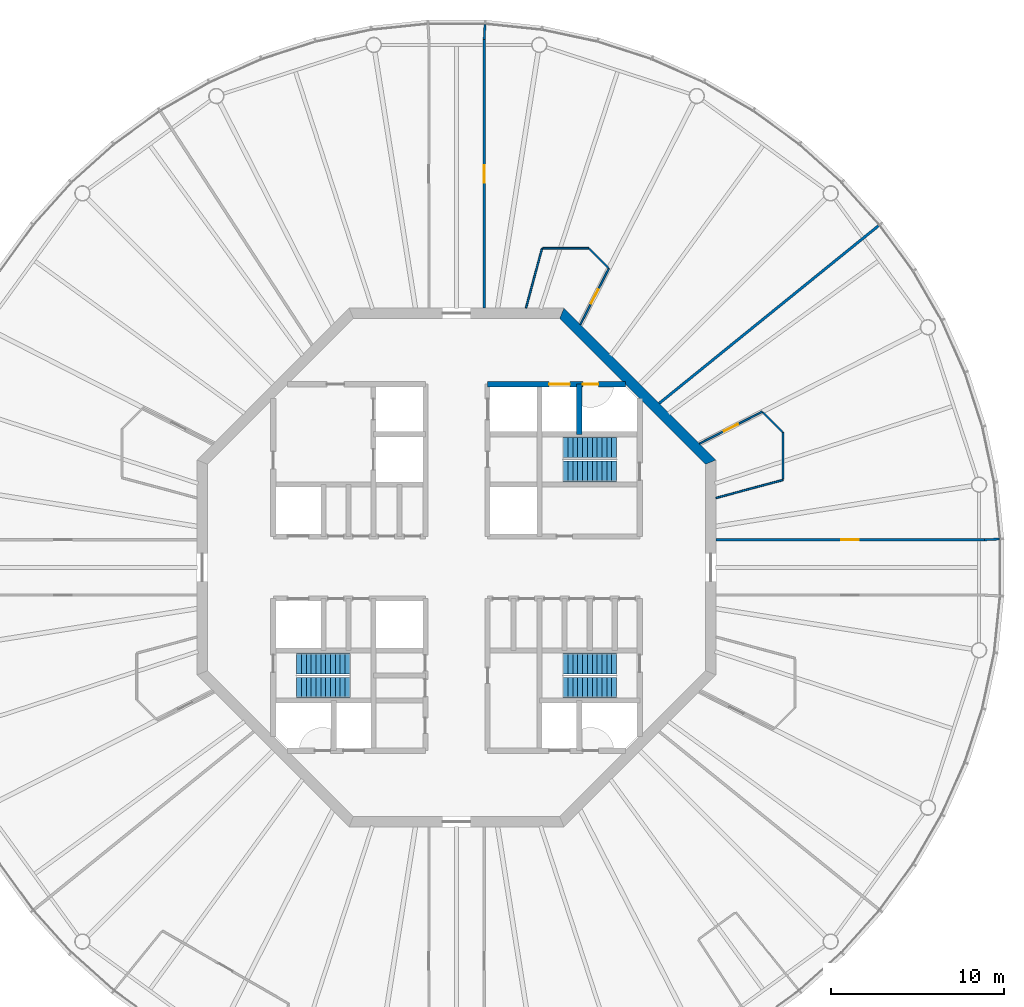
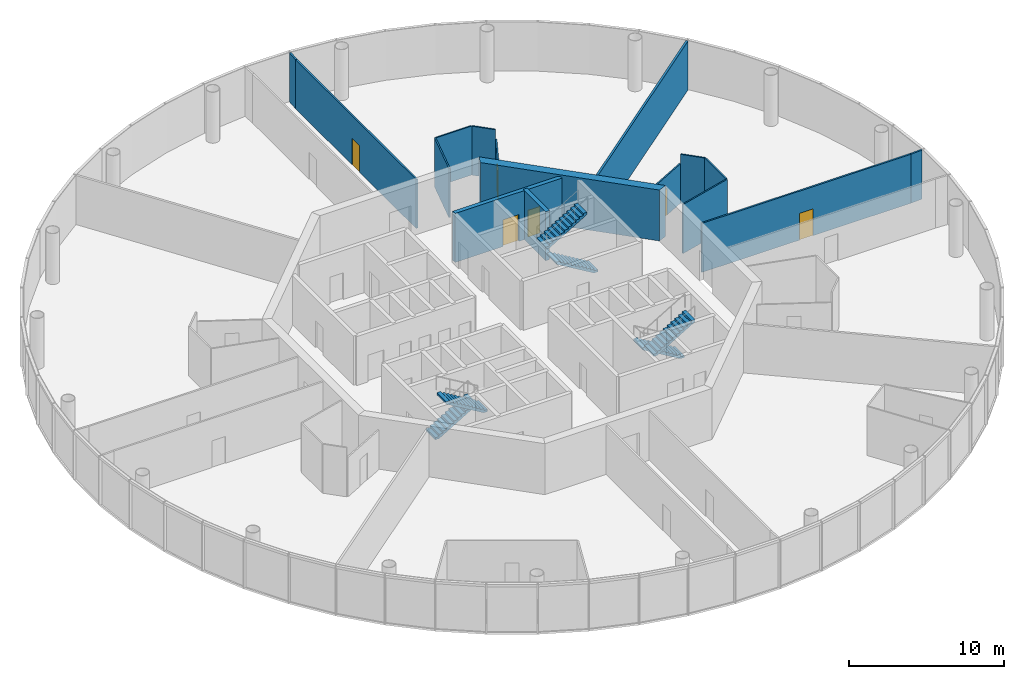
# One storey, part 6 of 13: 16 walls, 6 doors, 6 stair flights, 6 openings, 3 elements without a shape of their own.
"""IFC4 building model written with IfcOpenShell, lengths in metres."""

from ifc_helpers import new_model, si_unit, direction, frame, frame_2d, origin, place, context, subcontext, project, spatial, polyline, rectangle, outline, extrude, material, layer, layer_set, type_object, element, fill, aggregate, save


model = new_model("IFC4")

# Units and contexts
model_context = context("Model", 3, precision=1e-05, world=origin(), true_north=direction((0.0, 1.0)))
body_context = subcontext(model_context, "Body", "Model", "MODEL_VIEW")
ifc_project = project(units=[si_unit("LENGTHUNIT", "METRE"), si_unit("AREAUNIT", "SQUARE_METRE"), si_unit("VOLUMEUNIT", "CUBIC_METRE"), si_unit("PLANEANGLEUNIT", "RADIAN"), si_unit("MASSUNIT", "GRAM", prefix="KILO")], contexts=[model_context])

# Site, building, storey
site_placement = place(None, origin())
site = spatial("IfcSite", under=ifc_project, at=site_placement, CompositionType="ELEMENT")
building_placement = place(site_placement, origin())
building = spatial("IfcBuilding", under=site, at=building_placement, Name="Entoto Ring Tower", CompositionType="ELEMENT")
storey_placement = place(building_placement, frame((0.0, 0.0, 340.0)))
storey = spatial("IfcBuildingStorey", under=building, at=storey_placement, Name="L78", CompositionType="ELEMENT", Elevation=340.0)

# Wall
ifc_material_1 = material(Name="Concrete C40/50", Category="concrete")
ifc_layer_1 = layer(ifc_material_1, 0.300048828125)
ifc_layer_set_1 = layer_set([ifc_layer_1], Name="Concrete C40/50")
wall_type_1 = type_object("IfcWallType", Name="Core enclosure wall 300 mm reinforced concrete", PredefinedType="SOLIDWALL", material=ifc_layer_set_1)
wall_1_placement = place(storey_placement, frame((97.10009765625, 87.699951171875, 0.0), z_axis=(0.0, 0.0, 1.0), x_axis=(0.0, 1.0, 0.0)))
element("IfcWall", 1, at=wall_1_placement, inside=storey, type_object=wall_type_1, Name="wall-L78-006", PredefinedType="SOLIDWALL", context=body_context, shape_type="SweptSolid", body=[
    extrude(rectangle(XDim=2.900146484375, YDim=0.300048828125, at=frame_2d((1.4501953125, 0.0))), origin(), (0.0, 0.0, 1.0), 3.85009765625),
])

# Wall, openings, doors
wall_2_placement = place(storey_placement, frame((91.800048828125, 90.60009765625, 0.0), z_axis=(0.0, 0.0, 1.0), x_axis=(1.0, 0.0, 0.0)))
wall_2 = element("IfcWall", 2, at=wall_2_placement, inside=storey, type_object=wall_type_1, Name="wall-L78-041", PredefinedType="SOLIDWALL", context=body_context, shape_type="SweptSolid", body=[
    extrude(rectangle(XDim=7.964599609375, YDim=0.300048828125, at=frame_2d((3.982421875, 0.0))), origin(), (0.0, 0.0, 1.0), 3.85009765625),
])
opening_1_placement = place(wall_2_placement, frame((3.550048828125, 0.0, 0.0)))
opening_1 = element("IfcOpeningElement", 3, at=opening_1_placement, cuts=wall_2, Name="Opening LD", PredefinedType="OPENING", context=body_context, shape_type="SweptSolid", body=[
    extrude(rectangle(XDim=1.199951171875, YDim=2.10009765625, at=frame_2d((0.60009765625, 1.050048828125))), frame((0.0, 0.16015625, 0.0), z_axis=(0.0, -1.0, 0.0), x_axis=(1.0, 0.0, 0.0)), (0.0, 0.0, 1.0), 0.320068359375),
])
opening_2_placement = place(wall_2_placement, frame((5.5, 0.0, 0.0)))
opening_2 = element("IfcOpeningElement", 4, at=opening_2_placement, cuts=wall_2, Name="Opening K-32", PredefinedType="OPENING", context=body_context, shape_type="SweptSolid", body=[
    extrude(rectangle(XDim=0.89990234375, YDim=2.10009765625, at=frame_2d((0.449951171875, 1.050048828125))), frame((0.0, 0.16015625, 0.0), z_axis=(0.0, -1.0, 0.0), x_axis=(1.0, 0.0, 0.0)), (0.0, 0.0, 1.0), 0.320068359375),
])
ifc_material_2 = material(Name="Steel and glass door leaf", Category="steel")
ifc_layer_2 = layer(ifc_material_2, 0.050048828125)
ifc_layer_set_2 = layer_set([ifc_layer_2], Name="Steel and glass door leaf")
door_type_1 = type_object("IfcDoorType", Name="Landing door 1200 x 2100 sliding", OperationType="DOUBLE_DOOR_SLIDING", PredefinedType="DOOR", material=ifc_layer_set_2)
door_1_placement = place(opening_1_placement, origin())
door_1 = element("IfcDoor", 5, at=door_1_placement, inside=storey, type_object=door_type_1, Name="Landing door LB1-HR", OperationType="SLIDING_TO_RIGHT", OverallHeight=2.10009765625, OverallWidth=1.199951171875, PredefinedType="DOOR", context=body_context, shape_type="SweptSolid", body=[
    extrude(rectangle(XDim=1.199951171875, YDim=2.10009765625, at=frame_2d((0.60009765625, 1.050048828125))), frame((0.0, 0.02490234375, 0.0), z_axis=(0.0, -1.0, 0.0), x_axis=(1.0, 0.0, 0.0)), (0.0, 0.0, 1.0), 0.050048828125),
])
fill(opening_1, door_1)
ifc_material_3 = material(Name="Steel door leaf, fire rated", Category="steel")
ifc_layer_3 = layer(ifc_material_3, 0.050048828125)
ifc_layer_set_3 = layer_set([ifc_layer_3], Name="Steel door leaf, fire rated")
door_type_2 = type_object("IfcDoorType", Name="Riser door FD60 900 x 2100 single leaf", OperationType="NOTDEFINED", PredefinedType="DOOR", material=ifc_layer_set_3)
door_2_placement = place(opening_2_placement, frame((0.89990234375, 0.0, 0.0), z_axis=(0.0, 0.0, 1.0), x_axis=(-1.0, 0.0, 0.0)))
door_2 = element("IfcDoor", 6, at=door_2_placement, inside=storey, type_object=door_type_2, Name="Door K-32", OperationType="SINGLE_SWING_RIGHT", OverallHeight=2.10009765625, OverallWidth=0.89990234375, PredefinedType="DOOR", context=body_context, shape_type="SweptSolid", body=[
    extrude(rectangle(XDim=0.89990234375, YDim=2.10009765625, at=frame_2d((0.449951171875, 1.050048828125))), frame((0.0, 0.02490234375, 0.0), z_axis=(0.0, -1.0, 0.0), x_axis=(1.0, 0.0, 0.0)), (0.0, 0.0, 1.0), 0.050048828125),
])
fill(opening_2, door_2)

# Wall
ifc_material_4 = material(Name="Concrete C40/50", Category="concrete")
ifc_layer_4 = layer(ifc_material_4, 0.60009765625)
ifc_layer_set_4 = layer_set([ifc_layer_4], Name="Concrete C40/50")
wall_type_2 = type_object("IfcWallType", Name="Core shear wall 600 mm reinforced concrete C40/50", PredefinedType="SHEAR", material=ifc_layer_set_4)
wall_3_placement = place(storey_placement, frame((104.699951171875, 86.0888671875, 0.0), z_axis=(0.0, 0.0, 1.0), x_axis=(-0.707106781187, 0.707106781187, 0.0)))
element("IfcWall", 7, at=wall_3_placement, inside=storey, type_object=wall_type_2, Name="wall-L78-core-1", PredefinedType="SHEAR", context=body_context, shape_type="SweptSolid", body=[
    extrude(outline(polyline([(-0.124267578125, -0.300048828125), (12.30224609375, -0.300048828125), (12.0537109375, 0.300048828125), (0.124267578125, 0.300048828125), (-0.124267578125, -0.300048828125)])), origin(), (0.0, 0.0, 1.0), 4.0),
])

# Wall, opening, door
ifc_material_5 = material(Name="Fire-resisting plasterboard on steel studs", Category="steel")
ifc_layer_5 = layer(ifc_material_5, 0.125)
ifc_layer_set_5 = layer_set([ifc_layer_5], Name="Fire-resisting plasterboard on steel studs")
wall_type_3 = type_object("IfcWallType", Name="Corridor wall 125 mm one-hour plasterboard on steel studs", PredefinedType="PARTITIONING", material=ifc_layer_set_5)
wall_4_placement = place(storey_placement, frame((91.60009765625, 95.0, 0.0), z_axis=(0.0, 0.0, 1.0), x_axis=(0.0, 1.0, 0.0)))
wall_4 = element("IfcWall", 8, at=wall_4_placement, inside=storey, type_object=wall_type_3, Name="partition-L78-006", PredefinedType="PARTITIONING", context=body_context, shape_type="SweptSolid", body=[
    extrude(rectangle(XDim=15.52978515625, YDim=0.125, at=frame_2d((7.764892578125, 0.0))), origin(), (0.0, 0.0, 1.0), 3.85009765625),
])
opening_3_placement = place(wall_4_placement, frame((7.264892578125, 0.0, 0.0)))
opening_3 = element("IfcOpeningElement", 9, at=opening_3_placement, cuts=wall_4, Name="Opening A34-D03", PredefinedType="OPENING", context=body_context, shape_type="SweptSolid", body=[
    extrude(rectangle(XDim=1.0, YDim=2.10009765625, at=frame_2d((0.5, 1.050048828125))), frame((0.0, 0.072509765625, 0.0), z_axis=(0.0, -1.0, 0.0), x_axis=(1.0, 0.0, 0.0)), (0.0, 0.0, 1.0), 0.14501953125),
])
ifc_material_6 = material(Name="Fire-resisting timber door set", Category="wood")
door_type_3 = type_object("IfcDoorType", Name="Door 1000 x 2100 single leaf FD30S fire door", OperationType="NOTDEFINED", PredefinedType="DOOR", material=ifc_material_6)
door_3_placement = place(opening_3_placement, frame((1.0, 0.0, 0.0), z_axis=(0.0, 0.0, 1.0), x_axis=(-1.0, 0.0, 0.0)))
door_3 = element("IfcDoor", 10, at=door_3_placement, inside=storey, type_object=door_type_3, Name="Door A34-D03", OperationType="SINGLE_SWING_RIGHT", OverallHeight=2.10009765625, OverallWidth=1.0, PredefinedType="DOOR", context=body_context, shape_type="SweptSolid", body=[
    extrude(rectangle(XDim=1.0, YDim=2.10009765625, at=frame_2d((0.5, 1.050048828125))), frame((0.0, 0.02490234375, 0.0), z_axis=(0.0, -1.0, 0.0), x_axis=(1.0, 0.0, 0.0)), (0.0, 0.0, 1.0), 0.050048828125),
])
fill(opening_3, door_3)

wall_5_placement = place(storey_placement, frame((105.0, 81.60009765625, 0.0), z_axis=(0.0, 0.0, 1.0), x_axis=(1.0, 0.0, 0.0)))
wall_5 = element("IfcWall", 11, at=wall_5_placement, inside=storey, type_object=wall_type_3, Name="partition-L78-008", PredefinedType="PARTITIONING", context=body_context, shape_type="SweptSolid", body=[
    extrude(rectangle(XDim=15.52978515625, YDim=0.125, at=frame_2d((7.764892578125, 0.0))), origin(), (0.0, 0.0, 1.0), 3.85009765625),
])
opening_4_placement = place(wall_5_placement, frame((7.264892578125, 0.0, 0.0)))
opening_4 = element("IfcOpeningElement", 12, at=opening_4_placement, cuts=wall_5, Name="Opening A34-D01", PredefinedType="OPENING", context=body_context, shape_type="SweptSolid", body=[
    extrude(rectangle(XDim=1.0, YDim=2.10009765625, at=frame_2d((0.5, 1.050048828125))), frame((0.0, 0.072509765625, 0.0), z_axis=(0.0, -1.0, 0.0), x_axis=(1.0, 0.0, 0.0)), (0.0, 0.0, 1.0), 0.14501953125),
])
door_4_placement = place(opening_4_placement, origin())
door_4 = element("IfcDoor", 13, at=door_4_placement, inside=storey, type_object=door_type_3, Name="Door A34-D01", OperationType="SINGLE_SWING_LEFT", OverallHeight=2.10009765625, OverallWidth=1.0, PredefinedType="DOOR", context=body_context, shape_type="SweptSolid", body=[
    extrude(rectangle(XDim=1.0, YDim=2.10009765625, at=frame_2d((0.5, 1.050048828125))), frame((0.0, 0.02490234375, 0.0), z_axis=(0.0, -1.0, 0.0), x_axis=(1.0, 0.0, 0.0)), (0.0, 0.0, 1.0), 0.050048828125),
])
fill(opening_4, door_4)

# Walls
for number, where, z_axis, x_axis, name in (
    (14, (91.60009765625, 110.533203125, 0.0), (0.0, 0.0, 1.0), (0.052499574911, 0.998620946423, 0.0), "partition-L78-013"),
    (15, (120.533203125, 81.60009765625, 0.0), (0.0, 0.0, 1.0), (0.998620946423, 0.052499574911, 0.0), "partition-L78-015"),
):
    element("IfcWall", number, at=place(storey_placement, frame(where, z_axis=z_axis, x_axis=x_axis)), inside=storey, type_object=wall_type_3, Name=name, PredefinedType="PARTITIONING", context=body_context, shape_type="SweptSolid", body=[
        extrude(rectangle(XDim=0.864990234375, YDim=0.125, at=frame_2d((0.4326171875, 0.0))), origin(), (0.0, 0.0, 1.0), 3.85009765625),
    ])
ifc_material_7 = material(Name="Plasterboard on steel studs", Category="steel")
ifc_layer_6 = layer(ifc_material_7, 0.10009765625)
ifc_layer_set_6 = layer_set([ifc_layer_6], Name="Plasterboard on steel studs")
wall_type_4 = type_object("IfcWallType", Name="Partition 100 mm plasterboard on steel studs", PredefinedType="PARTITIONING", material=ifc_layer_set_6)
wall_6_placement = place(storey_placement, frame((105.0, 84.019287109375, 0.0), z_axis=(0.0, 0.0, 1.0), x_axis=(0.965929603202, 0.258804949058, 0.0)))
element("IfcWall", 16, at=wall_6_placement, inside=storey, type_object=wall_type_4, Name="partition-L78-031", PredefinedType="PARTITIONING", context=body_context, shape_type="SweptSolid", body=[
    extrude(rectangle(XDim=4.016845703125, YDim=0.10009765625, at=frame_2d((2.00830078125, 0.0))), origin(), (0.0, 0.0, 1.0), 3.85009765625),
])
wall_7_placement = place(storey_placement, frame((94.019287109375, 95.0, 0.0), z_axis=(0.0, 0.0, 1.0), x_axis=(0.258795137252, 0.965932232061, 0.0)))
element("IfcWall", 17, at=wall_7_placement, inside=storey, type_object=wall_type_4, Name="partition-L78-035", PredefinedType="PARTITIONING", context=body_context, shape_type="SweptSolid", body=[
    extrude(rectangle(XDim=3.58203125, YDim=0.10009765625, at=frame_2d((1.791015625, 0.0))), origin(), (0.0, 0.0, 1.0), 3.85009765625),
])
wall_8_placement = place(storey_placement, frame((108.8798828125, 85.107177734375, 0.0), z_axis=(0.0, 0.0, 1.0), x_axis=(0.0, 1.0, 0.0)))
element("IfcWall", 18, at=wall_8_placement, inside=storey, type_object=wall_type_4, Name="partition-L78-038", PredefinedType="PARTITIONING", context=body_context, shape_type="SweptSolid", body=[
    extrude(rectangle(XDim=2.713134765625, YDim=0.10009765625, at=frame_2d((1.3564453125, 0.0))), origin(), (0.0, 0.0, 1.0), 3.85009765625),
])
wall_9_placement = place(storey_placement, frame((94.994384765625, 98.4599609375, 0.0), z_axis=(0.0, 0.0, 1.0), x_axis=(1.0, 0.0, 0.0)))
element("IfcWall", 19, at=wall_9_placement, inside=storey, type_object=wall_type_4, Name="partition-L78-040", PredefinedType="PARTITIONING", context=body_context, shape_type="SweptSolid", body=[
    extrude(rectangle(XDim=2.652099609375, YDim=0.10009765625, at=frame_2d((1.326171875, 0.0))), origin(), (0.0, 0.0, 1.0), 3.85009765625),
])
wall_10_placement = place(storey_placement, frame((108.855224609375, 87.84521484375, 0.0), z_axis=(0.0, 0.0, 1.0), x_axis=(-0.707106781187, 0.707106781187, 0.0)))
element("IfcWall", 20, at=wall_10_placement, inside=storey, type_object=wall_type_4, Name="partition-L78-044", PredefinedType="PARTITIONING", context=body_context, shape_type="SweptSolid", body=[
    extrude(rectangle(XDim=1.603515625, YDim=0.10009765625, at=frame_2d((0.8017578125, 0.0))), origin(), (0.0, 0.0, 1.0), 3.85009765625),
])
wall_11_placement = place(storey_placement, frame((98.7783203125, 97.327880859375, 0.0), z_axis=(0.0, 0.0, 1.0), x_axis=(-0.707028824428, 0.707184729351, 0.0)))
element("IfcWall", 21, at=wall_11_placement, inside=storey, type_object=wall_type_4, Name="partition-L78-046", PredefinedType="PARTITIONING", context=body_context, shape_type="SweptSolid", body=[
    extrude(rectangle(XDim=1.56591796875, YDim=0.10009765625, at=frame_2d((0.782958984375, 0.0))), origin(), (0.0, 0.0, 1.0), 3.85009765625),
])

# Wall, opening, door
ifc_material_8 = material(Name="Plasterboard on steel studs", Category="steel")
ifc_layer_7 = layer(ifc_material_8, 0.10009765625)
ifc_layer_set_7 = layer_set([ifc_layer_7], Name="Plasterboard on steel studs")
wall_type_5 = type_object("IfcWallType", Name="Partition 100 mm plasterboard on steel studs, 3097 mm high", PredefinedType="PARTITIONING", material=ifc_layer_set_7)
wall_12_placement = place(storey_placement, frame((104.052978515625, 87.160400390625, 0.0), z_axis=(0.0, 0.0, 1.0), x_axis=(0.891014377336, 0.45397508674, 0.0)))
wall_12 = element("IfcWall", 22, at=wall_12_placement, inside=storey, type_object=wall_type_5, Name="partition-L78-030", PredefinedType="PARTITIONING", context=body_context, shape_type="SweptSolid", body=[
    extrude(rectangle(XDim=4.07958984375, YDim=0.10009765625, at=frame_2d((2.039794921875, 0.0))), origin(), (0.0, 0.0, 1.0), 3.096923828125),
])
opening_5_placement = place(wall_12_placement, frame((1.58984375, 0.0, 0.0)))
opening_5 = element("IfcOpeningElement", 23, at=opening_5_placement, cuts=wall_12, Name="Opening A34-D02", PredefinedType="OPENING", context=body_context, shape_type="SweptSolid", body=[
    extrude(rectangle(XDim=0.89990234375, YDim=2.10009765625, at=frame_2d((0.449951171875, 1.050048828125))), frame((0.0, 0.06005859375, 0.0), z_axis=(0.0, -1.0, 0.0), x_axis=(1.0, 0.0, 0.0)), (0.0, 0.0, 1.0), 0.1201171875),
])
ifc_material_9 = material(Name="Veneered timber door leaf in timber frame", Category="wood")
door_type_4 = type_object("IfcDoorType", Name="Door 900 x 2100 single leaf timber veneer", OperationType="NOTDEFINED", PredefinedType="DOOR", material=ifc_material_9)
door_5_placement = place(opening_5_placement, frame((0.89990234375, 0.0, 0.0), z_axis=(0.0, 0.0, 1.0), x_axis=(-1.0, 0.0, 0.0)))
door_5 = element("IfcDoor", 24, at=door_5_placement, inside=storey, type_object=door_type_4, Name="Door A34-D02", OperationType="SINGLE_SWING_RIGHT", OverallHeight=2.10009765625, OverallWidth=0.89990234375, PredefinedType="DOOR", context=body_context, shape_type="SweptSolid", body=[
    extrude(rectangle(XDim=0.89990234375, YDim=2.10009765625, at=frame_2d((0.449951171875, 1.050048828125))), frame((0.0, 0.02490234375, 0.0), z_axis=(0.0, -1.0, 0.0), x_axis=(1.0, 0.0, 0.0)), (0.0, 0.0, 1.0), 0.050048828125),
])
fill(opening_5, door_5)

wall_13_placement = place(storey_placement, frame((97.160400390625, 94.052978515625, 0.0), z_axis=(0.0, 0.0, 1.0), x_axis=(0.453992130401, 0.891005693323, 0.0)))
wall_13 = element("IfcWall", 25, at=wall_13_placement, inside=storey, type_object=wall_type_5, Name="partition-L78-033", PredefinedType="PARTITIONING", context=body_context, shape_type="SweptSolid", body=[
    extrude(rectangle(XDim=3.637939453125, YDim=0.10009765625, at=frame_2d((1.81884765625, 0.0))), origin(), (0.0, 0.0, 1.0), 3.096923828125),
])
opening_6_placement = place(wall_13_placement, frame((1.368896484375, 0.0, 0.0)))
opening_6 = element("IfcOpeningElement", 26, at=opening_6_placement, cuts=wall_13, Name="Opening A34-D04", PredefinedType="OPENING", context=body_context, shape_type="SweptSolid", body=[
    extrude(rectangle(XDim=0.89990234375, YDim=2.10009765625, at=frame_2d((0.449951171875, 1.050048828125))), frame((0.0, 0.06005859375, 0.0), z_axis=(0.0, -1.0, 0.0), x_axis=(1.0, 0.0, 0.0)), (0.0, 0.0, 1.0), 0.1201171875),
])
door_6_placement = place(opening_6_placement, origin())
door_6 = element("IfcDoor", 27, at=door_6_placement, inside=storey, type_object=door_type_4, Name="Door A34-D04", OperationType="SINGLE_SWING_LEFT", OverallHeight=2.10009765625, OverallWidth=0.89990234375, PredefinedType="DOOR", context=body_context, shape_type="SweptSolid", body=[
    extrude(rectangle(XDim=0.89990234375, YDim=2.10009765625, at=frame_2d((0.449951171875, 1.050048828125))), frame((0.0, 0.02490234375, 0.0), z_axis=(0.0, -1.0, 0.0), x_axis=(1.0, 0.0, 0.0)), (0.0, 0.0, 1.0), 0.050048828125),
])
fill(opening_6, door_6)

# Wall
ifc_material_10 = material(Name="Fire-resisting acoustic plasterboard on steel studs", Category="steel")
ifc_layer_8 = layer(ifc_material_10, 0.14990234375)
ifc_layer_set_8 = layer_set([ifc_layer_8], Name="Fire-resisting acoustic plasterboard on steel studs")
wall_type_6 = type_object("IfcWallType", Name="Party wall 150 mm one-hour acoustic plasterboard on steel studs", PredefinedType="PARTITIONING", material=ifc_layer_set_8)
wall_14_placement = place(storey_placement, frame((101.721435546875, 89.49169921875, 0.0), z_axis=(0.0, 0.0, 1.0), x_axis=(0.777143368827, 0.629323592667, 0.0)))
element("IfcWall", 28, at=wall_14_placement, inside=storey, type_object=wall_type_6, Name="partition-L78-018", PredefinedType="PARTITIONING", context=body_context, shape_type="SweptSolid", body=[
    extrude(rectangle(XDim=16.357666015625, YDim=0.14990234375, at=frame_2d((8.1787109375, 0.0))), origin(), (0.0, 0.0, 1.0), 3.85009765625),
])

# Stair, stair flights
ifc_material_11 = material(Name="Concrete C40/50", Category="concrete")
stair_type = type_object("IfcStairType", Name="Exit stair 1200 mm dog-leg reinforced concrete", PredefinedType="HALF_TURN_STAIR", material=ifc_material_11)
stair_1_placement = place(storey_placement, origin())
stair_1 = element("IfcStair", 29, at=stair_1_placement, inside=storey, type_object=stair_type, Name="Exit stair 1", PredefinedType="HALF_TURN_STAIR")
ifc_material_12 = material(Name="Concrete C40/50", Category="concrete")
stair_flight_type = type_object("IfcStairFlightType", Name="Stair flight 1200 mm reinforced concrete", PredefinedType="STRAIGHT", material=ifc_material_12)
stair_flight_1_placement = place(storey_placement, frame((99.25, 85.550048828125, 0.0), z_axis=(0.0, 0.0, 1.0), x_axis=(-1.0, 0.0, 0.0)))
stair_flight_1 = element("IfcStairFlight", 30, at=stair_flight_1_placement, type_object=stair_flight_type, Name="ST1 flight 1", NumberOfRisers=12, NumberOfTreads=11, PredefinedType="STRAIGHT", RiserHeight=0.166666667, TreadLength=0.28, context=body_context, shape_type="SweptSolid", body=[
    extrude(outline(polyline([(0.0, 0.0), (0.0, 0.166748046875), (0.280029296875, 0.166748046875), (0.280029296875, 0.333251953125), (0.56005859375, 0.333251953125), (0.56005859375, 0.5), (0.840087890625, 0.5), (0.840087890625, 0.666748046875), (1.1201171875, 0.666748046875), (1.1201171875, 0.833251953125), (1.39990234375, 0.833251953125), (1.39990234375, 1.0), (1.679931640625, 1.0), (1.679931640625, 1.166748046875), (1.9599609375, 1.166748046875), (1.9599609375, 1.333251953125), (2.239990234375, 1.333251953125), (2.239990234375, 1.5), (2.52001953125, 1.5), (2.52001953125, 1.666748046875), (2.800048828125, 1.666748046875), (2.800048828125, 1.833251953125), (3.080078125, 1.833251953125), (3.080078125, 2.0), (3.080078125, 1.658935546875), (0.29296875, 0.0), (0.0, 0.0)])), frame((0.0, 0.60009765625, 0.0), z_axis=(0.0, -1.0, 0.0), x_axis=(1.0, 0.0, 0.0)), (0.0, 0.0, 1.0), 1.199951171875),
])
stair_flight_2_placement = place(storey_placement, frame((96.169921875, 86.949951171875, 2.0), z_axis=(0.0, 0.0, 1.0), x_axis=(1.0, 0.0, 0.0)))
stair_flight_2 = element("IfcStairFlight", 31, at=stair_flight_2_placement, type_object=stair_flight_type, Name="ST1 flight 2", NumberOfRisers=12, NumberOfTreads=11, PredefinedType="STRAIGHT", RiserHeight=0.166666667, TreadLength=0.28, context=body_context, shape_type="SweptSolid", body=[
    extrude(outline(polyline([(0.0, 0.0), (0.0, 0.166748046875), (0.280029296875, 0.166748046875), (0.280029296875, 0.333251953125), (0.56005859375, 0.333251953125), (0.56005859375, 0.5), (0.840087890625, 0.5), (0.840087890625, 0.666748046875), (1.1201171875, 0.666748046875), (1.1201171875, 0.833251953125), (1.39990234375, 0.833251953125), (1.39990234375, 1.0), (1.679931640625, 1.0), (1.679931640625, 1.166748046875), (1.9599609375, 1.166748046875), (1.9599609375, 1.333251953125), (2.239990234375, 1.333251953125), (2.239990234375, 1.5), (2.52001953125, 1.5), (2.52001953125, 1.666748046875), (2.800048828125, 1.666748046875), (2.800048828125, 1.833251953125), (3.080078125, 1.833251953125), (3.080078125, 2.0), (3.080078125, 1.658935546875), (0.29296875, 0.0), (0.0, 0.0)])), frame((0.0, 0.60009765625, 0.0), z_axis=(0.0, -1.0, 0.0), x_axis=(1.0, 0.0, 0.0)), (0.0, 0.0, 1.0), 1.199951171875),
])
aggregate(stair_1, [stair_flight_1, stair_flight_2])

stair_2_placement = place(storey_placement, origin())
stair_2 = element("IfcStair", 32, at=stair_2_placement, inside=storey, type_object=stair_type, Name="Exit stair 2", PredefinedType="HALF_TURN_STAIR")
stair_flight_3_placement = place(storey_placement, frame((80.75, 74.449951171875, 0.0), z_axis=(0.0, 0.0, 1.0), x_axis=(1.0, 0.0, 0.0)))
stair_flight_3 = element("IfcStairFlight", 33, at=stair_flight_3_placement, type_object=stair_flight_type, Name="ST2 flight 1", NumberOfRisers=12, NumberOfTreads=11, PredefinedType="STRAIGHT", RiserHeight=0.166666667, TreadLength=0.28, context=body_context, shape_type="SweptSolid", body=[
    extrude(outline(polyline([(0.0, 0.0), (0.0, 0.166748046875), (0.280029296875, 0.166748046875), (0.280029296875, 0.333251953125), (0.56005859375, 0.333251953125), (0.56005859375, 0.5), (0.840087890625, 0.5), (0.840087890625, 0.666748046875), (1.1201171875, 0.666748046875), (1.1201171875, 0.833251953125), (1.39990234375, 0.833251953125), (1.39990234375, 1.0), (1.679931640625, 1.0), (1.679931640625, 1.166748046875), (1.9599609375, 1.166748046875), (1.9599609375, 1.333251953125), (2.239990234375, 1.333251953125), (2.239990234375, 1.5), (2.52001953125, 1.5), (2.52001953125, 1.666748046875), (2.800048828125, 1.666748046875), (2.800048828125, 1.833251953125), (3.080078125, 1.833251953125), (3.080078125, 2.0), (3.080078125, 1.658935546875), (0.29296875, 0.0), (0.0, 0.0)])), frame((0.0, 0.60009765625, 0.0), z_axis=(0.0, -1.0, 0.0), x_axis=(1.0, 0.0, 0.0)), (0.0, 0.0, 1.0), 1.199951171875),
])
stair_flight_4_placement = place(storey_placement, frame((83.830078125, 73.050048828125, 2.0), z_axis=(0.0, 0.0, 1.0), x_axis=(-1.0, 0.0, 0.0)))
stair_flight_4 = element("IfcStairFlight", 34, at=stair_flight_4_placement, type_object=stair_flight_type, Name="ST2 flight 2", NumberOfRisers=12, NumberOfTreads=11, PredefinedType="STRAIGHT", RiserHeight=0.166666667, TreadLength=0.28, context=body_context, shape_type="SweptSolid", body=[
    extrude(outline(polyline([(0.0, 0.0), (0.0, 0.166748046875), (0.280029296875, 0.166748046875), (0.280029296875, 0.333251953125), (0.56005859375, 0.333251953125), (0.56005859375, 0.5), (0.840087890625, 0.5), (0.840087890625, 0.666748046875), (1.1201171875, 0.666748046875), (1.1201171875, 0.833251953125), (1.39990234375, 0.833251953125), (1.39990234375, 1.0), (1.679931640625, 1.0), (1.679931640625, 1.166748046875), (1.9599609375, 1.166748046875), (1.9599609375, 1.333251953125), (2.239990234375, 1.333251953125), (2.239990234375, 1.5), (2.52001953125, 1.5), (2.52001953125, 1.666748046875), (2.800048828125, 1.666748046875), (2.800048828125, 1.833251953125), (3.080078125, 1.833251953125), (3.080078125, 2.0), (3.080078125, 1.658935546875), (0.29296875, 0.0), (0.0, 0.0)])), frame((0.0, 0.60009765625, 0.0), z_axis=(0.0, -1.0, 0.0), x_axis=(1.0, 0.0, 0.0)), (0.0, 0.0, 1.0), 1.199951171875),
])
aggregate(stair_2, [stair_flight_3, stair_flight_4])

stair_3_placement = place(storey_placement, origin())
stair_3 = element("IfcStair", 35, at=stair_3_placement, inside=storey, type_object=stair_type, Name="Exit stair 3", PredefinedType="HALF_TURN_STAIR")
stair_flight_5_placement = place(storey_placement, frame((99.25, 74.449951171875, 0.0), z_axis=(0.0, 0.0, 1.0), x_axis=(-1.0, 0.0, 0.0)))
stair_flight_5 = element("IfcStairFlight", 36, at=stair_flight_5_placement, type_object=stair_flight_type, Name="ST3 flight 1", NumberOfRisers=12, NumberOfTreads=11, PredefinedType="STRAIGHT", RiserHeight=0.166666667, TreadLength=0.28, context=body_context, shape_type="SweptSolid", body=[
    extrude(outline(polyline([(0.0, 0.0), (0.0, 0.166748046875), (0.280029296875, 0.166748046875), (0.280029296875, 0.333251953125), (0.56005859375, 0.333251953125), (0.56005859375, 0.5), (0.840087890625, 0.5), (0.840087890625, 0.666748046875), (1.1201171875, 0.666748046875), (1.1201171875, 0.833251953125), (1.39990234375, 0.833251953125), (1.39990234375, 1.0), (1.679931640625, 1.0), (1.679931640625, 1.166748046875), (1.9599609375, 1.166748046875), (1.9599609375, 1.333251953125), (2.239990234375, 1.333251953125), (2.239990234375, 1.5), (2.52001953125, 1.5), (2.52001953125, 1.666748046875), (2.800048828125, 1.666748046875), (2.800048828125, 1.833251953125), (3.080078125, 1.833251953125), (3.080078125, 2.0), (3.080078125, 1.658935546875), (0.29296875, 0.0), (0.0, 0.0)])), frame((0.0, 0.60009765625, 0.0), z_axis=(0.0, -1.0, 0.0), x_axis=(1.0, 0.0, 0.0)), (0.0, 0.0, 1.0), 1.199951171875),
])
stair_flight_6_placement = place(storey_placement, frame((96.169921875, 73.050048828125, 2.0), z_axis=(0.0, 0.0, 1.0), x_axis=(1.0, 0.0, 0.0)))
stair_flight_6 = element("IfcStairFlight", 37, at=stair_flight_6_placement, type_object=stair_flight_type, Name="ST3 flight 2", NumberOfRisers=12, NumberOfTreads=11, PredefinedType="STRAIGHT", RiserHeight=0.166666667, TreadLength=0.28, context=body_context, shape_type="SweptSolid", body=[
    extrude(outline(polyline([(0.0, 0.0), (0.0, 0.166748046875), (0.280029296875, 0.166748046875), (0.280029296875, 0.333251953125), (0.56005859375, 0.333251953125), (0.56005859375, 0.5), (0.840087890625, 0.5), (0.840087890625, 0.666748046875), (1.1201171875, 0.666748046875), (1.1201171875, 0.833251953125), (1.39990234375, 0.833251953125), (1.39990234375, 1.0), (1.679931640625, 1.0), (1.679931640625, 1.166748046875), (1.9599609375, 1.166748046875), (1.9599609375, 1.333251953125), (2.239990234375, 1.333251953125), (2.239990234375, 1.5), (2.52001953125, 1.5), (2.52001953125, 1.666748046875), (2.800048828125, 1.666748046875), (2.800048828125, 1.833251953125), (3.080078125, 1.833251953125), (3.080078125, 2.0), (3.080078125, 1.658935546875), (0.29296875, 0.0), (0.0, 0.0)])), frame((0.0, 0.60009765625, 0.0), z_axis=(0.0, -1.0, 0.0), x_axis=(1.0, 0.0, 0.0)), (0.0, 0.0, 1.0), 1.199951171875),
])
aggregate(stair_3, [stair_flight_5, stair_flight_6])

save(model, "model.ifc")
